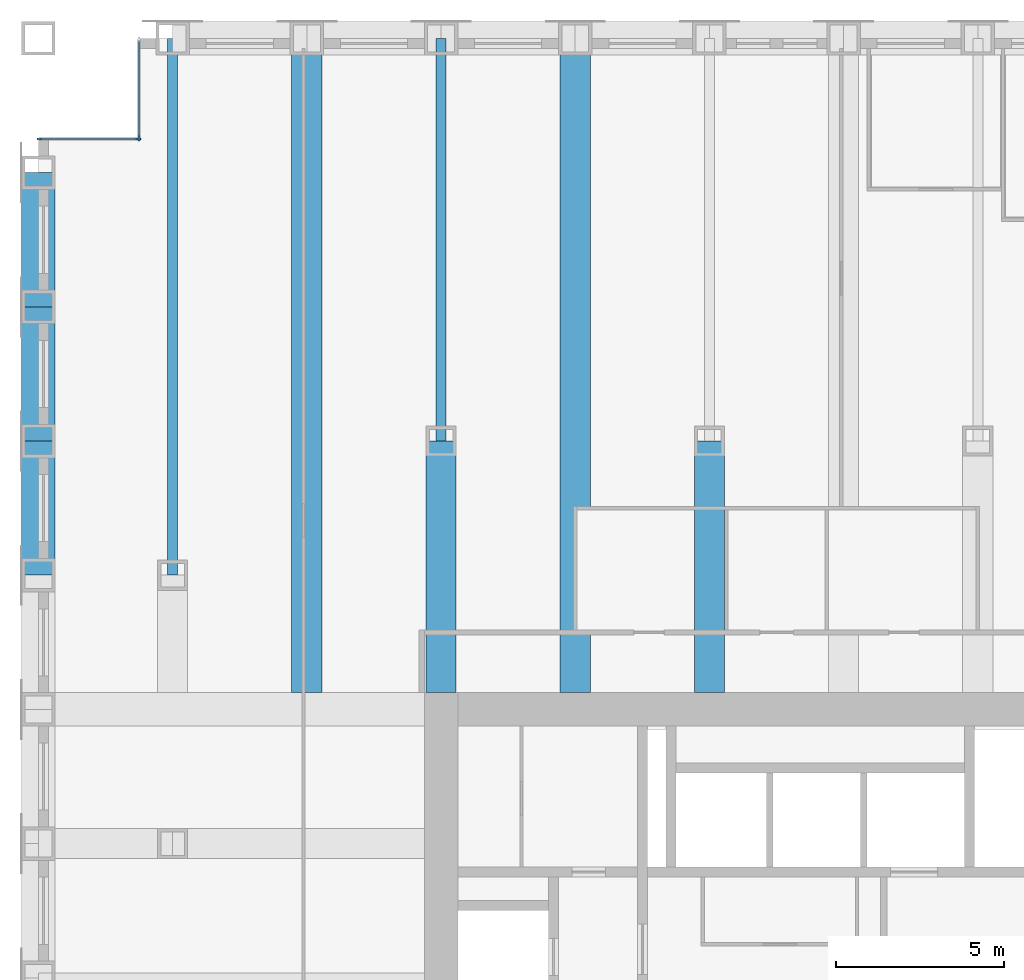
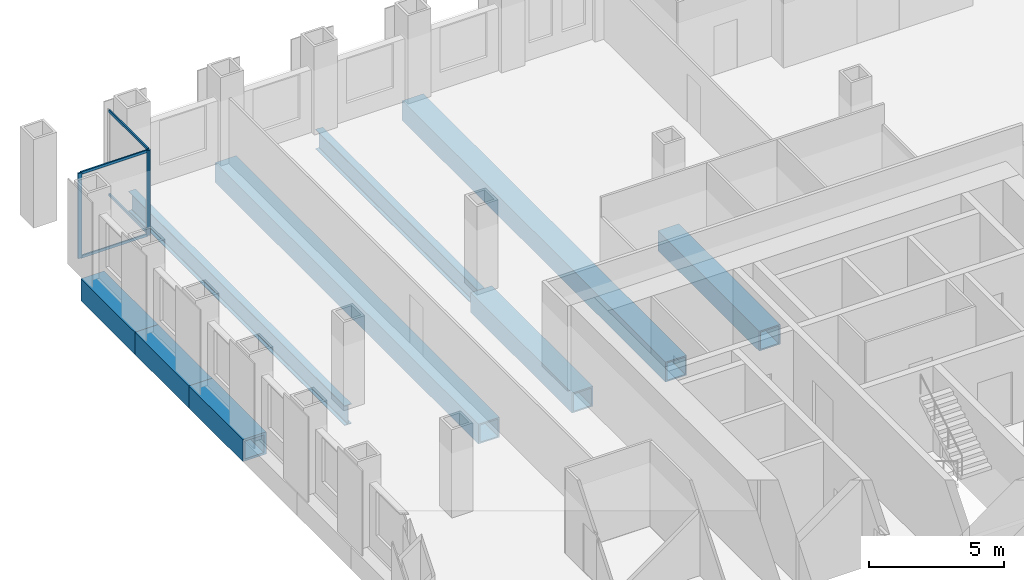
# One storey, part 5 of 13: 9 beams, 7 members, 2 elements without a shape of their own.
"""IFC4 building model written with IfcOpenShell, lengths in metres."""

from ifc_helpers import new_model, si_unit, direction, frame, origin, origin_2d, place, context, subcontext, project, spatial, rectangle, hollow_rectangle, i_section, extrude, material, material_profile, profile_set, type_object, element, aggregate, save


model = new_model("IFC4")

# Units and contexts
model_context = context("Model", 3, precision=1e-05, world=origin(), true_north=direction((0.0, 1.0)))
body_context = subcontext(model_context, "Body", "Model", "MODEL_VIEW")
ifc_project = project(units=[si_unit("LENGTHUNIT", "METRE"), si_unit("AREAUNIT", "SQUARE_METRE"), si_unit("VOLUMEUNIT", "CUBIC_METRE"), si_unit("PLANEANGLEUNIT", "RADIAN"), si_unit("MASSUNIT", "GRAM", prefix="KILO")], contexts=[model_context])

# Site, building, storey
site_placement = place(None, origin())
site = spatial("IfcSite", under=ifc_project, at=site_placement, CompositionType="ELEMENT")
building_placement = place(site_placement, origin())
building = spatial("IfcBuilding", under=site, at=building_placement, Name="Rimbunsela Tower", CompositionType="ELEMENT")
storey_placement = place(building_placement, frame((0.0, 0.0, 191.800048828125)))
storey = spatial("IfcBuildingStorey", under=building, at=storey_placement, Name="L46", CompositionType="ELEMENT", Elevation=191.800048828125)

# Beams
ifc_material_1 = material(Name="Steel BJ 55 (fy 410 MPa)", Category="steel")
ifc_material_profile_1 = material_profile(ifc_material_1, hollow_rectangle(XDim=1.0, YDim=1.0, WallThickness=0.10009765625, at=origin_2d()), Name="BOX 1000x1000x100")
ifc_profile_set_1 = profile_set([ifc_material_profile_1], Name="Steel BJ 55 (fy 410 MPa)")
beam_type_1 = type_object("IfcBeamType", Name="Beam BOX 1000x1000x100", PredefinedType="BEAM", material=ifc_profile_set_1)
for number, where, z_axis, x_axis, name in (
    (1, (6.0, 40.0, -0.650146484375), (0.0, 1.0, 0.0), (-1.0, 0.0, 0.0), "Beam B3 L46"),
    (2, (6.0, 44.0, -0.650146484375), (0.0, 1.0, 0.0), (-1.0, 0.0, 0.0), "Beam B3 L46"),
    (3, (6.0, 48.0, -0.650146484375), (0.0, 1.0, 0.0), (-1.0, 0.0, 0.0), "Beam B3 L46"),
):
    element("IfcBeam", number, at=place(storey_placement, frame(where, z_axis=z_axis, x_axis=x_axis)), inside=storey, type_object=beam_type_1, Name=name, PredefinedType="BEAM", context=body_context, shape_type="SweptSolid", body=[
        extrude(hollow_rectangle(XDim=1.0, YDim=1.0, WallThickness=0.10009765625, at=origin_2d()), origin(), (0.0, 0.0, 1.0), 4.0),
    ])
ifc_material_2 = material(Name="Steel BJ 55 (fy 410 MPa)", Category="steel")
ifc_material_profile_2 = material_profile(ifc_material_2, hollow_rectangle(XDim=0.89990234375, YDim=0.89990234375, WallThickness=0.06005859375, at=origin_2d()), Name="BOX 900x900x60")
ifc_profile_set_2 = profile_set([ifc_material_profile_2], Name="Steel BJ 55 (fy 410 MPa)")
beam_type_2 = type_object("IfcBeamType", Name="Beam BOX 900x900x60", PredefinedType="BEAM", material=ifc_profile_set_2)
beam_1_placement = place(storey_placement, frame((14.0, 36.5, -0.60009765625), z_axis=(0.0, 1.0, 0.0), x_axis=(-1.0, 0.0, 0.0)))
element("IfcBeam", 4, at=beam_1_placement, inside=storey, type_object=beam_type_2, Name="Beam B1 L46", PredefinedType="BEAM", context=body_context, shape_type="SweptSolid", body=[
    extrude(hollow_rectangle(XDim=0.89990234375, YDim=0.89990234375, WallThickness=0.06005859375, at=origin_2d()), origin(), (0.0, 0.0, 1.0), 19.5),
])
beam_2_placement = place(storey_placement, frame((18.0, 36.5, -0.60009765625), z_axis=(0.0, 1.0, 0.0), x_axis=(-1.0, 0.0, 0.0)))
element("IfcBeam", 5, at=beam_2_placement, inside=storey, type_object=beam_type_2, Name="Beam B1 L46", PredefinedType="BEAM", context=body_context, shape_type="SweptSolid", body=[
    extrude(hollow_rectangle(XDim=0.89990234375, YDim=0.89990234375, WallThickness=0.06005859375, at=origin_2d()), origin(), (0.0, 0.0, 1.0), 7.5),
])
beam_3_placement = place(storey_placement, frame((22.0, 36.5, -0.60009765625), z_axis=(0.0, 1.0, 0.0), x_axis=(-1.0, 0.0, 0.0)))
element("IfcBeam", 6, at=beam_3_placement, inside=storey, type_object=beam_type_2, Name="Beam B1 L46", PredefinedType="BEAM", context=body_context, shape_type="SweptSolid", body=[
    extrude(hollow_rectangle(XDim=0.89990234375, YDim=0.89990234375, WallThickness=0.06005859375, at=origin_2d()), origin(), (0.0, 0.0, 1.0), 19.5),
])
beam_4_placement = place(storey_placement, frame((26.0, 36.5, -0.60009765625), z_axis=(0.0, 1.0, 0.0), x_axis=(-1.0, 0.0, 0.0)))
element("IfcBeam", 7, at=beam_4_placement, inside=storey, type_object=beam_type_2, Name="Beam B1 L46", PredefinedType="BEAM", context=body_context, shape_type="SweptSolid", body=[
    extrude(hollow_rectangle(XDim=0.89990234375, YDim=0.89990234375, WallThickness=0.06005859375, at=origin_2d()), origin(), (0.0, 0.0, 1.0), 7.5),
])
ifc_material_3 = material(Name="Steel BJ 55 (fy 410 MPa)", Category="steel")
ifc_material_profile_3 = material_profile(ifc_material_3, i_section(OverallWidth=0.300048828125, OverallDepth=0.89990234375, WebThickness=0.01611328125, FlangeThickness=0.028076171875, FilletRadius=0.028076171875, at=origin_2d()), Name="H 900x300x16x28")
ifc_profile_set_3 = profile_set([ifc_material_profile_3], Name="Steel BJ 55 (fy 410 MPa)")
beam_type_3 = type_object("IfcBeamType", Name="Beam H 900x300x16x28", PredefinedType="BEAM", material=ifc_profile_set_3)
beam_5_placement = place(storey_placement, frame((10.0, 40.0, -0.60009765625), z_axis=(0.0, 1.0, 0.0), x_axis=(-1.0, 0.0, 0.0)))
element("IfcBeam", 8, at=beam_5_placement, inside=storey, type_object=beam_type_3, Name="Beam B2 L46", PredefinedType="BEAM", context=body_context, shape_type="SweptSolid", body=[
    extrude(i_section(OverallWidth=0.300048828125, OverallDepth=0.89990234375, WebThickness=0.01611328125, FlangeThickness=0.028076171875, FilletRadius=0.028076171875, at=origin_2d()), origin(), (0.0, 0.0, 1.0), 16.0),
])
beam_6_placement = place(storey_placement, frame((18.0, 44.0, -0.60009765625), z_axis=(0.0, 1.0, 0.0), x_axis=(-1.0, 0.0, 0.0)))
element("IfcBeam", 9, at=beam_6_placement, inside=storey, type_object=beam_type_3, Name="Beam B2 L46", PredefinedType="BEAM", context=body_context, shape_type="SweptSolid", body=[
    extrude(i_section(OverallWidth=0.300048828125, OverallDepth=0.89990234375, WebThickness=0.01611328125, FlangeThickness=0.028076171875, FilletRadius=0.028076171875, at=origin_2d()), origin(), (0.0, 0.0, 1.0), 12.0),
])

# Curtain wall, member
ifc_material_4 = material(Name="Aluminium curtain wall", Category="aluminium")
curtain_wall_type = type_object("IfcCurtainWallType", Name="Corner glazing", PredefinedType="USERDEFINED", material=ifc_material_4)
curtain_wall_1_placement = place(storey_placement, origin())
curtain_wall_1 = element("IfcCurtainWall", 10, at=curtain_wall_1_placement, inside=storey, type_object=curtain_wall_type, Name="Corner glazing L46", ObjectType="CORNER GLAZING", PredefinedType="USERDEFINED")
ifc_material_5 = material(Name="Aluminium mullion", Category="aluminium")
ifc_material_profile_4 = material_profile(ifc_material_5, rectangle(XDim=0.06005859375, YDim=0.159912109375, at=origin_2d()), Name="Mullion 60x160")
ifc_profile_set_4 = profile_set([ifc_material_profile_4], Name="Aluminium mullion")
member_type_1 = type_object("IfcMemberType", Name="Curtain wall mullion 60x160", PredefinedType="MULLION", material=ifc_profile_set_4)
member_1_placement = place(storey_placement, frame((9.0, 53.030029296875, 0.0), z_axis=(0.0, 0.0, 1.0), x_axis=(1.0, 0.0, 0.0)))
member_1 = element("IfcMember", 11, at=member_1_placement, type_object=member_type_1, Name="CW5 mullion 2", PredefinedType="MULLION", context=body_context, shape_type="SweptSolid", body=[
    extrude(rectangle(XDim=0.06005859375, YDim=0.159912109375, at=origin_2d()), origin(), (0.0, 0.0, 1.0), 3.849853515625),
])

# Curtain wall, members
curtain_wall_2_placement = place(storey_placement, origin())
curtain_wall_2 = element("IfcCurtainWall", 12, at=curtain_wall_2_placement, inside=storey, type_object=curtain_wall_type, Name="Corner glazing L46", ObjectType="CORNER GLAZING", PredefinedType="USERDEFINED")
member_2_placement = place(storey_placement, frame((8.969970703125, 53.0, 0.0), z_axis=(0.0, 0.0, 1.0), x_axis=(0.0, -1.0, 0.0)))
member_2 = element("IfcMember", 13, at=member_2_placement, type_object=member_type_1, Name="CW5 mullion 1", PredefinedType="MULLION", context=body_context, shape_type="SweptSolid", body=[
    extrude(rectangle(XDim=0.06005859375, YDim=0.159912109375, at=origin_2d()), origin(), (0.0, 0.0, 1.0), 3.849853515625),
])
member_3_placement = place(storey_placement, frame((6.030029296875, 53.0, 0.0), z_axis=(0.0, 0.0, 1.0), x_axis=(0.0, -1.0, 0.0)))
member_3 = element("IfcMember", 14, at=member_3_placement, type_object=member_type_1, Name="CW5 mullion 2", PredefinedType="MULLION", context=body_context, shape_type="SweptSolid", body=[
    extrude(rectangle(XDim=0.06005859375, YDim=0.159912109375, at=origin_2d()), origin(), (0.0, 0.0, 1.0), 3.849853515625),
])

# Member
ifc_material_6 = material(Name="Aluminium transom", Category="aluminium")
ifc_material_profile_5 = material_profile(ifc_material_6, rectangle(XDim=0.06005859375, YDim=0.1201171875, at=origin_2d()), Name="Transom 60x120")
ifc_profile_set_5 = profile_set([ifc_material_profile_5], Name="Aluminium transom")
member_type_2 = type_object("IfcMemberType", Name="Curtain wall transom 60x120", PredefinedType="USERDEFINED", material=ifc_profile_set_5)
member_4_placement = place(storey_placement, frame((9.0, 55.93994140625, 0.030029296875), z_axis=(0.0, -1.0, 0.0), x_axis=(1.0, 0.0, 0.0)))
member_4 = element("IfcMember", 15, at=member_4_placement, type_object=member_type_2, Name="CW5 transom 1.1", ObjectType="TRANSOM", PredefinedType="USERDEFINED", context=body_context, shape_type="SweptSolid", body=[
    extrude(rectangle(XDim=0.06005859375, YDim=0.1201171875, at=origin_2d()), origin(), (0.0, 0.0, 1.0), 2.8798828125),
])

member_5_placement = place(storey_placement, frame((9.0, 55.93994140625, 3.820068359375), z_axis=(0.0, -1.0, 0.0), x_axis=(1.0, 0.0, 0.0)))
member_5 = element("IfcMember", 16, at=member_5_placement, type_object=member_type_2, Name="CW5 transom 1.2", ObjectType="TRANSOM", PredefinedType="USERDEFINED", context=body_context, shape_type="SweptSolid", body=[
    extrude(rectangle(XDim=0.06005859375, YDim=0.1201171875, at=origin_2d()), origin(), (0.0, 0.0, 1.0), 2.8798828125),
])

aggregate(curtain_wall_1, [member_1, member_4, member_5])

member_6_placement = place(storey_placement, frame((8.93994140625, 53.0, 0.030029296875), z_axis=(-1.0, 0.0, 0.0), x_axis=(0.0, -1.0, 0.0)))
member_6 = element("IfcMember", 17, at=member_6_placement, type_object=member_type_2, Name="CW5 transom 1.1", ObjectType="TRANSOM", PredefinedType="USERDEFINED", context=body_context, shape_type="SweptSolid", body=[
    extrude(rectangle(XDim=0.06005859375, YDim=0.1201171875, at=origin_2d()), origin(), (0.0, 0.0, 1.0), 2.8798828125),
])

member_7_placement = place(storey_placement, frame((8.93994140625, 53.0, 3.820068359375), z_axis=(-1.0, 0.0, 0.0), x_axis=(0.0, -1.0, 0.0)))
member_7 = element("IfcMember", 18, at=member_7_placement, type_object=member_type_2, Name="CW5 transom 1.2", ObjectType="TRANSOM", PredefinedType="USERDEFINED", context=body_context, shape_type="SweptSolid", body=[
    extrude(rectangle(XDim=0.06005859375, YDim=0.1201171875, at=origin_2d()), origin(), (0.0, 0.0, 1.0), 2.8798828125),
])

aggregate(curtain_wall_2, [member_2, member_3, member_6, member_7])

save(model, "model.ifc")
